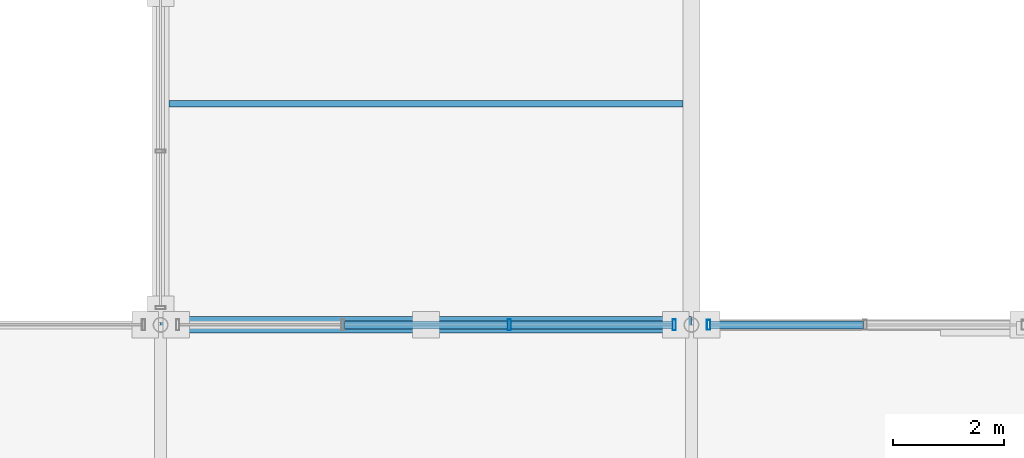
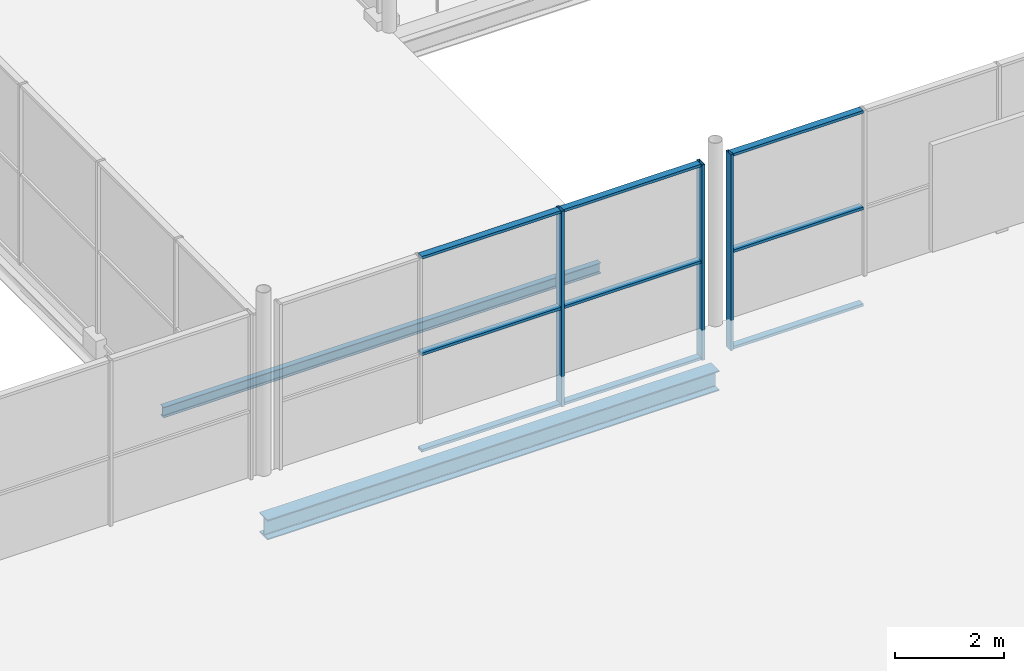
# One storey, part 45 of 159: 12 members, 2 beams, 2 elements without a shape of their own.
"""IFC4 building model written with IfcOpenShell, lengths in metres."""

from ifc_helpers import new_model, si_unit, direction, frame, origin, origin_2d, place, context, subcontext, project, spatial, hollow_rectangle, i_section, extrude, material, material_profile, profile_set, type_object, element, aggregate, save


model = new_model("IFC4")

# Units and contexts
model_context = context("Model", 3, precision=1e-05, world=origin(), true_north=direction((0.0, 1.0)))
body_context = subcontext(model_context, "Body", "Model", "MODEL_VIEW")
ifc_project = project(units=[si_unit("LENGTHUNIT", "METRE"), si_unit("AREAUNIT", "SQUARE_METRE"), si_unit("VOLUMEUNIT", "CUBIC_METRE"), si_unit("PLANEANGLEUNIT", "RADIAN"), si_unit("MASSUNIT", "GRAM", prefix="KILO")], contexts=[model_context])

# Site, building, storey
site_placement = place(None, origin())
site = spatial("IfcSite", under=ifc_project, at=site_placement, CompositionType="ELEMENT")
building_placement = place(site_placement, origin())
building = spatial("IfcBuilding", under=site, at=building_placement, Name="Merenkruunu Market Hall", CompositionType="ELEMENT")
storey_placement = place(building_placement, frame((0.0, 0.0, 5.39990234375)))
storey = spatial("IfcBuildingStorey", under=building, at=storey_placement, Name="L01", CompositionType="ELEMENT", Elevation=5.39990234375)

# Curtain wall, member
ifc_material_1 = material(Name="Powder-coated aluminium", Category="aluminium")
curtain_wall_type_1 = type_object("IfcCurtainWallType", Name="Glazed Curtain Wall CW02", PredefinedType="USERDEFINED", material=ifc_material_1)
curtain_wall_1_placement = place(storey_placement, origin())
curtain_wall_1 = element("IfcCurtainWall", 1, at=curtain_wall_1_placement, inside=storey, type_object=curtain_wall_type_1, Name="CW-L01-CWM02-181", ObjectType="GLAZED_FACADE", PredefinedType="USERDEFINED")
ifc_material_profile_1 = material_profile(ifc_material_1, hollow_rectangle(XDim=0.06005859375, YDim=0.179931640625, WallThickness=0.00390625, at=origin_2d()), Name="ALU 60x180x4")
ifc_profile_set_1 = profile_set([ifc_material_profile_1], Name="Powder-coated aluminium")
member_type_1 = type_object("IfcMemberType", Name="Curtain Wall Mullion CWM02", PredefinedType="MULLION", material=ifc_profile_set_1)
member_1_placement = place(storey_placement, frame((77.110107421875, 15.60009765625, 0.0), z_axis=(0.0, 0.0, 1.0), x_axis=(-1.0, 0.0, 0.0)))
member_1 = element("IfcMember", 2, at=member_1_placement, type_object=member_type_1, Name="CW02 mullion 5", PredefinedType="MULLION", context=body_context, shape_type="SweptSolid", body=[
    extrude(hollow_rectangle(XDim=0.06005859375, YDim=0.179931640625, WallThickness=0.00390625, at=origin_2d()), origin(), (0.0, 0.0, 1.0), 4.400146484375),
])

# Curtain wall, members
curtain_wall_type_2 = type_object("IfcCurtainWallType", Name="Glazed Curtain Wall CW03", PredefinedType="USERDEFINED", material=ifc_material_1)
curtain_wall_2_placement = place(storey_placement, origin())
curtain_wall_2 = element("IfcCurtainWall", 3, at=curtain_wall_2_placement, inside=storey, type_object=curtain_wall_type_2, Name="CW-L01-CWM03-146", ObjectType="GLAZED_FACADE", PredefinedType="USERDEFINED")
ifc_material_profile_2 = material_profile(ifc_material_1, hollow_rectangle(XDim=0.06005859375, YDim=0.199951171875, WallThickness=0.0048828125, at=origin_2d()), Name="ALU 60x200x5")
ifc_profile_set_2 = profile_set([ifc_material_profile_2], Name="Powder-coated aluminium")
member_type_2 = type_object("IfcMemberType", Name="Curtain Wall Mullion CWM03", PredefinedType="MULLION", material=ifc_profile_set_2)
member_2_placement = place(storey_placement, frame((76.489990234375, 15.60009765625, 0.0), z_axis=(0.0, 0.0, 1.0), x_axis=(-1.0, 0.0, 0.0)))
member_2 = element("IfcMember", 4, at=member_2_placement, type_object=member_type_2, Name="CW03 mullion 1", PredefinedType="MULLION", context=body_context, shape_type="SweptSolid", body=[
    extrude(hollow_rectangle(XDim=0.06005859375, YDim=0.199951171875, WallThickness=0.0048828125, at=origin_2d()), origin(), (0.0, 0.0, 1.0), 4.400146484375),
])
member_3_placement = place(storey_placement, frame((73.506591796875, 15.60009765625, 0.0), z_axis=(0.0, 0.0, 1.0), x_axis=(-1.0, 0.0, 0.0)))
member_3 = element("IfcMember", 5, at=member_3_placement, type_object=member_type_2, Name="CW03 mullion 2", PredefinedType="MULLION", context=body_context, shape_type="SweptSolid", body=[
    extrude(hollow_rectangle(XDim=0.06005859375, YDim=0.199951171875, WallThickness=0.0048828125, at=origin_2d()), origin(), (0.0, 0.0, 1.0), 4.400146484375),
])
ifc_material_profile_3 = material_profile(ifc_material_1, hollow_rectangle(XDim=0.06005859375, YDim=0.139892578125, WallThickness=0.00390625, at=origin_2d()), Name="ALU 60x140x4")
ifc_profile_set_3 = profile_set([ifc_material_profile_3], Name="Powder-coated aluminium")
member_type_3 = type_object("IfcMemberType", Name="Curtain Wall Transom CWT02", PredefinedType="USERDEFINED", material=ifc_profile_set_3)
member_4_placement = place(storey_placement, frame((76.4599609375, 15.60009765625, 0.030029296875), z_axis=(-1.0, 0.0, 0.0), x_axis=(0.0, 0.0, 1.0)))
member_4 = element("IfcMember", 6, at=member_4_placement, type_object=member_type_3, Name="CW03 transom 1.1", ObjectType="TRANSOM", PredefinedType="USERDEFINED", context=body_context, shape_type="SweptSolid", body=[
    extrude(hollow_rectangle(XDim=0.06005859375, YDim=0.139892578125, WallThickness=0.00390625, at=origin_2d()), origin(), (0.0, 0.0, 1.0), 2.92333984375),
])
member_5_placement = place(storey_placement, frame((76.4599609375, 15.60009765625, 2.2001953125), z_axis=(-1.0, 0.0, 0.0), x_axis=(0.0, 0.0, 1.0)))
member_5 = element("IfcMember", 7, at=member_5_placement, type_object=member_type_3, Name="CW03 transom 1.2", ObjectType="TRANSOM", PredefinedType="USERDEFINED", context=body_context, shape_type="SweptSolid", body=[
    extrude(hollow_rectangle(XDim=0.06005859375, YDim=0.139892578125, WallThickness=0.00390625, at=origin_2d()), origin(), (0.0, 0.0, 1.0), 2.92333984375),
])
member_6_placement = place(storey_placement, frame((76.4599609375, 15.60009765625, 4.3701171875), z_axis=(-1.0, 0.0, 0.0), x_axis=(0.0, 0.0, 1.0)))
member_6 = element("IfcMember", 8, at=member_6_placement, type_object=member_type_3, Name="CW03 transom 1.3", ObjectType="TRANSOM", PredefinedType="USERDEFINED", context=body_context, shape_type="SweptSolid", body=[
    extrude(hollow_rectangle(XDim=0.06005859375, YDim=0.139892578125, WallThickness=0.00390625, at=origin_2d()), origin(), (0.0, 0.0, 1.0), 2.92333984375),
])
member_7_placement = place(storey_placement, frame((73.4765625, 15.60009765625, 0.030029296875), z_axis=(-1.0, 0.0, 0.0), x_axis=(0.0, 0.0, 1.0)))
member_7 = element("IfcMember", 9, at=member_7_placement, type_object=member_type_3, Name="CW03 transom 2.1", ObjectType="TRANSOM", PredefinedType="USERDEFINED", context=body_context, shape_type="SweptSolid", body=[
    extrude(hollow_rectangle(XDim=0.06005859375, YDim=0.139892578125, WallThickness=0.00390625, at=origin_2d()), origin(), (0.0, 0.0, 1.0), 2.953125),
])
member_8_placement = place(storey_placement, frame((73.4765625, 15.60009765625, 2.2001953125), z_axis=(-1.0, 0.0, 0.0), x_axis=(0.0, 0.0, 1.0)))
member_8 = element("IfcMember", 10, at=member_8_placement, type_object=member_type_3, Name="CW03 transom 2.2", ObjectType="TRANSOM", PredefinedType="USERDEFINED", context=body_context, shape_type="SweptSolid", body=[
    extrude(hollow_rectangle(XDim=0.06005859375, YDim=0.139892578125, WallThickness=0.00390625, at=origin_2d()), origin(), (0.0, 0.0, 1.0), 2.953125),
])
member_9_placement = place(storey_placement, frame((73.4765625, 15.60009765625, 4.3701171875), z_axis=(-1.0, 0.0, 0.0), x_axis=(0.0, 0.0, 1.0)))
member_9 = element("IfcMember", 11, at=member_9_placement, type_object=member_type_3, Name="CW03 transom 2.3", ObjectType="TRANSOM", PredefinedType="USERDEFINED", context=body_context, shape_type="SweptSolid", body=[
    extrude(hollow_rectangle(XDim=0.06005859375, YDim=0.139892578125, WallThickness=0.00390625, at=origin_2d()), origin(), (0.0, 0.0, 1.0), 2.953125),
])
aggregate(curtain_wall_2, [member_2, member_3, member_4, member_5, member_6, member_7, member_8, member_9])

# Member
member_10_placement = place(storey_placement, frame((79.909912109375, 15.60009765625, 0.030029296875), z_axis=(-1.0, 0.0, 0.0), x_axis=(0.0, 0.0, 1.0)))
member_10 = element("IfcMember", 12, at=member_10_placement, type_object=member_type_3, Name="CW02 transom 4.1", ObjectType="TRANSOM", PredefinedType="USERDEFINED", context=body_context, shape_type="SweptSolid", body=[
    extrude(hollow_rectangle(XDim=0.06005859375, YDim=0.139892578125, WallThickness=0.00390625, at=origin_2d()), origin(), (0.0, 0.0, 1.0), 2.77001953125),
])

member_11_placement = place(storey_placement, frame((79.909912109375, 15.60009765625, 2.2001953125), z_axis=(-1.0, 0.0, 0.0), x_axis=(0.0, 0.0, 1.0)))
member_11 = element("IfcMember", 13, at=member_11_placement, type_object=member_type_3, Name="CW02 transom 4.2", ObjectType="TRANSOM", PredefinedType="USERDEFINED", context=body_context, shape_type="SweptSolid", body=[
    extrude(hollow_rectangle(XDim=0.06005859375, YDim=0.139892578125, WallThickness=0.00390625, at=origin_2d()), origin(), (0.0, 0.0, 1.0), 2.77001953125),
])

member_12_placement = place(storey_placement, frame((79.909912109375, 15.60009765625, 4.3701171875), z_axis=(-1.0, 0.0, 0.0), x_axis=(0.0, 0.0, 1.0)))
member_12 = element("IfcMember", 14, at=member_12_placement, type_object=member_type_3, Name="CW02 transom 4.3", ObjectType="TRANSOM", PredefinedType="USERDEFINED", context=body_context, shape_type="SweptSolid", body=[
    extrude(hollow_rectangle(XDim=0.06005859375, YDim=0.139892578125, WallThickness=0.00390625, at=origin_2d()), origin(), (0.0, 0.0, 1.0), 2.77001953125),
])

aggregate(curtain_wall_1, [member_1, member_10, member_11, member_12])

# Beams
ifc_material_2 = material(Name="Steel S355J2", Category="steel")
ifc_material_profile_4 = material_profile(ifc_material_2, i_section(OverallWidth=0.300048828125, OverallDepth=0.449951171875, WebThickness=0.013916015625, FlangeThickness=0.02587890625, FilletRadius=0.027099609375, at=origin_2d()), Name="HEB 450")
ifc_profile_set_4 = profile_set([ifc_material_profile_4], Name="Steel S355J2")
beam_type_1 = type_object("IfcBeamType", Name="Primary Floor Girder B03", PredefinedType="BEAM", material=ifc_profile_set_4)
beam_1_placement = place(storey_placement, frame((67.199951171875, 15.60009765625, -0.534912109375), z_axis=(1.0, 0.0, 0.0), x_axis=(0.0, 1.0, 0.0)))
element("IfcBeam", 15, at=beam_1_placement, inside=storey, type_object=beam_type_1, Name="BM-L01-B03-0476", PredefinedType="BEAM", context=body_context, shape_type="SweptSolid", body=[
    extrude(i_section(OverallWidth=0.300048828125, OverallDepth=0.449951171875, WebThickness=0.013916015625, FlangeThickness=0.02587890625, FilletRadius=0.027099609375, at=origin_2d()), origin(), (0.0, 0.0, 1.0), 9.60009765625),
])
ifc_material_profile_5 = material_profile(ifc_material_2, i_section(OverallWidth=0.1201171875, OverallDepth=0.239990234375, WebThickness=0.006103515625, FlangeThickness=0.009765625, FilletRadius=0.014892578125, at=origin_2d()), Name="IPE 240")
ifc_profile_set_5 = profile_set([ifc_material_profile_5], Name="Steel S355J2")
beam_type_2 = type_object("IfcBeamType", Name="Secondary Floor Joist J05", PredefinedType="JOIST", material=ifc_profile_set_5)
beam_2_placement = place(storey_placement, frame((67.35302734375, 19.60009765625, -0.429931640625), z_axis=(1.0, 0.0, 0.0), x_axis=(0.0, 1.0, 0.0)))
element("IfcBeam", 16, at=beam_2_placement, inside=storey, type_object=beam_type_2, Name="BM-L01-J05-0676", PredefinedType="JOIST", context=body_context, shape_type="SweptSolid", body=[
    extrude(i_section(OverallWidth=0.1201171875, OverallDepth=0.239990234375, WebThickness=0.006103515625, FlangeThickness=0.009765625, FilletRadius=0.014892578125, at=origin_2d()), origin(), (0.0, 0.0, 1.0), 9.2939453125),
])

save(model, "model.ifc")
